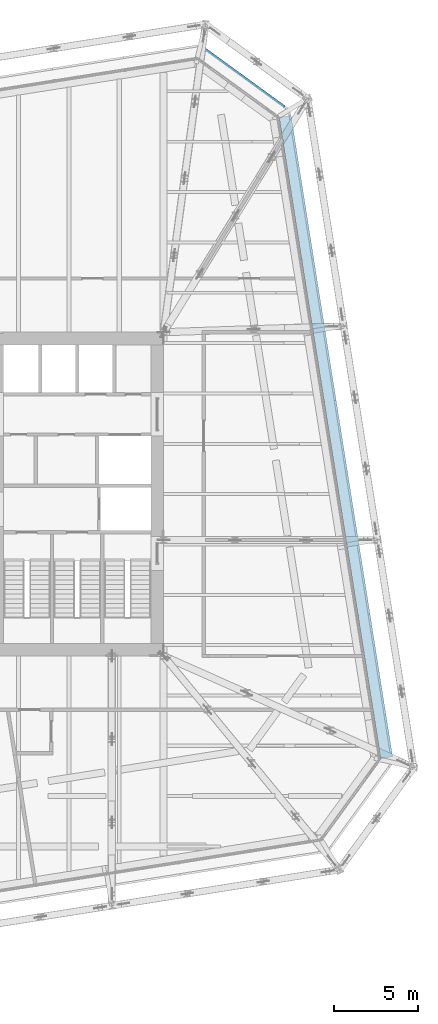
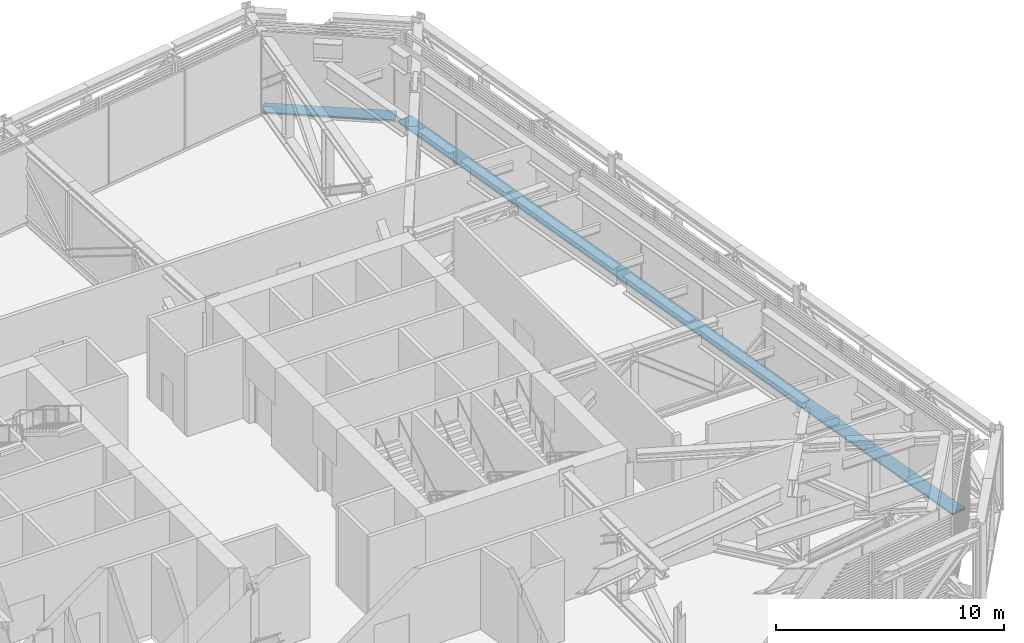
# One storey, part 26 of 31: 2 discrete accessories.
"""IFC4 building model written with IfcOpenShell, lengths in metres."""

from ifc_helpers import new_model, si_unit, direction, frame, origin, origin_2d, place, context, subcontext, project, spatial, rectangle, extrude, material, type_object, element, save


model = new_model("IFC4")

# Units and contexts
model_context = context("Model", 3, precision=1e-05, world=origin(), true_north=direction((0.0, 1.0)))
body_context = subcontext(model_context, "Body", "Model", "MODEL_VIEW")
ifc_project = project(units=[si_unit("LENGTHUNIT", "METRE"), si_unit("AREAUNIT", "SQUARE_METRE"), si_unit("VOLUMEUNIT", "CUBIC_METRE"), si_unit("PLANEANGLEUNIT", "RADIAN"), si_unit("MASSUNIT", "GRAM", prefix="KILO")], contexts=[model_context])

# Site, building, storey
site_placement = place(None, origin())
site = spatial("IfcSite", under=ifc_project, at=site_placement, CompositionType="ELEMENT")
building_placement = place(site_placement, origin())
building = spatial("IfcBuilding", under=site, at=building_placement, Name="Millrace Tower", CompositionType="ELEMENT")
storey_placement = place(building_placement, frame((0.0, 0.0, 195.60009765625)))
storey = spatial("IfcBuildingStorey", under=building, at=storey_placement, Name="L44", CompositionType="ELEMENT", Elevation=195.60009765625)

# Discrete accessories
ifc_material = material(Name="Stainless steel ASTM A240 type 316", Category="steel")
discrete_accessory_type = type_object("IfcDiscreteAccessoryType", Name="Thermally broken screen support rail", PredefinedType="BRACKET", material=ifc_material)
discrete_accessory_1_placement = place(storey_placement, frame((24.914306640625, 3.406005859375, -0.000244140625), z_axis=(0.0, 0.0, 1.0), x_axis=(-0.15643447328, 0.98768833929, 0.0)))
element("IfcDiscreteAccessory", 1, at=discrete_accessory_1_placement, inside=storey, type_object=discrete_accessory_type, Name="Thermally broken screen support rail C-F04 L44 1", PredefinedType="BRACKET", context=body_context, shape_type="SweptSolid", body=[
    extrude(rectangle(XDim=38.699951171875, YDim=0.719970703125, at=origin_2d()), origin(), (0.0, 0.0, 1.0), 0.10009765625),
])
discrete_accessory_2_placement = place(storey_placement, frame((19.309326171875, 24.575439453125, -0.000244140625), z_axis=(0.0, 0.0, 1.0), x_axis=(-0.809016981623, 0.587785269844, 0.0)))
element("IfcDiscreteAccessory", 2, at=discrete_accessory_2_placement, inside=storey, type_object=discrete_accessory_type, Name="Thermally broken screen support rail C-F05 L44 1", PredefinedType="BRACKET", context=body_context, shape_type="SweptSolid", body=[
    extrude(rectangle(XDim=5.868896484375, YDim=0.719970703125, at=origin_2d()), origin(), (0.0, 0.0, 1.0), 0.10009765625),
])

save(model, "model.ifc")
